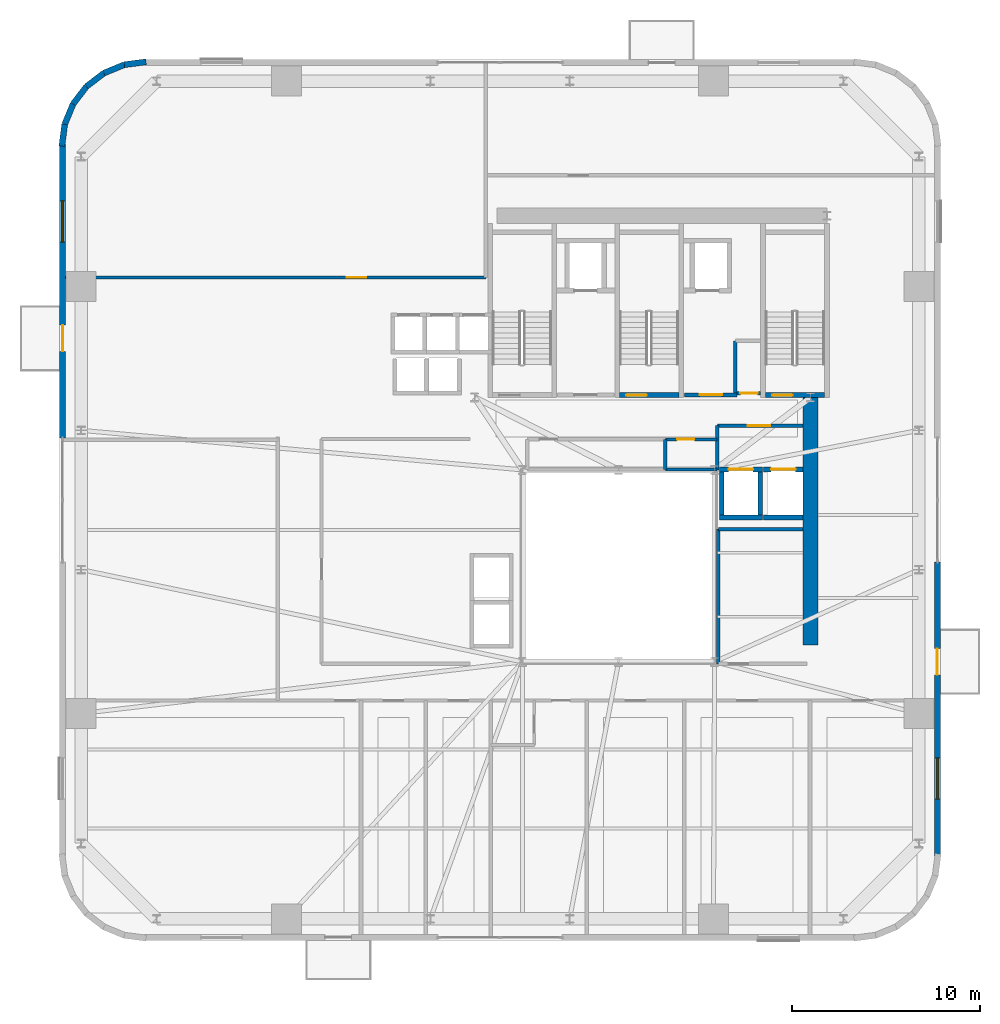
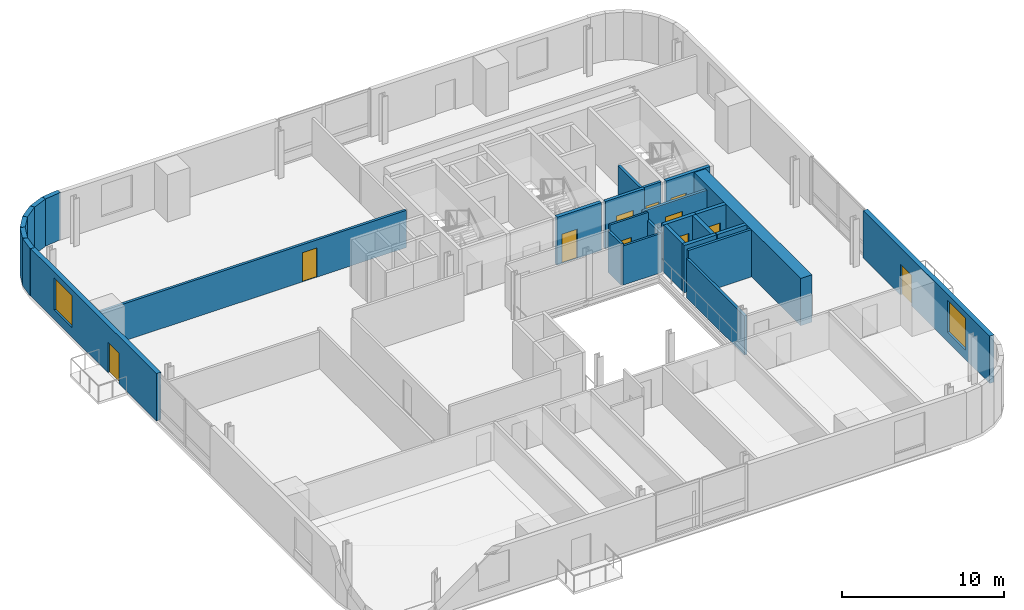
# One storey, part 7 of 14: 28 walls, 11 doors, 2 windows, 13 openings.
"""IFC4 building model written with IfcOpenShell, lengths in metres."""

from ifc_helpers import new_model, si_unit, direction, frame, frame_2d, origin, place, context, subcontext, project, spatial, rectangle, extrude, source, transform, mapped, material, layer, layer_set, type_object, element, fill, save


model = new_model("IFC4")

# Units and contexts
model_context = context("Model", 3, precision=1e-05, world=origin(), true_north=direction((0.0, 1.0)))
body_context = subcontext(model_context, "Body", "Model", "MODEL_VIEW")
ifc_project = project(units=[si_unit("LENGTHUNIT", "METRE"), si_unit("AREAUNIT", "SQUARE_METRE"), si_unit("VOLUMEUNIT", "CUBIC_METRE"), si_unit("PLANEANGLEUNIT", "RADIAN"), si_unit("MASSUNIT", "GRAM", prefix="KILO")], contexts=[model_context])

# Site, building, storey
site_placement = place(None, origin())
site = spatial("IfcSite", under=ifc_project, at=site_placement, CompositionType="ELEMENT")
building_placement = place(site_placement, origin())
building = spatial("IfcBuilding", under=site, at=building_placement, Name="Vardaveli Station Tower", CompositionType="ELEMENT")
storey_placement = place(building_placement, frame((0.0, 0.0, 107.5)))
storey = spatial("IfcBuildingStorey", under=building, at=storey_placement, Name="L27", CompositionType="ELEMENT", Elevation=107.5)

# Wall
ifc_material_1 = material(Name="Concrete C50/60", Category="concrete")
ifc_layer_1 = layer(ifc_material_1, 0.800048828125, Name="Concrete C50/60")
ifc_layer_set_1 = layer_set([ifc_layer_1], Name="Concrete C50/60")
wall_type_1 = type_object("IfcWallType", Name="WAL-CORE-800", PredefinedType="SHEAR", material=ifc_layer_set_1)
shared_shape_1 = source(origin(), body_context, "Body", "SweptSolid", [
    extrude(rectangle(XDim=13.14990234375, YDim=0.800048828125, at=frame_2d((6.574951171875, 0.0))), origin(), (0.0, 0.0, 1.0), 3.56005859375),
])
wall_1_placement = place(storey_placement, frame((46.5, 17.5, 0.0), z_axis=(0.0, 0.0, 1.0), x_axis=(0.0, 1.0, 0.0)))
element("IfcWall", 1, at=wall_1_placement, inside=storey, type_object=wall_type_1, Name="SW-L27-EAST2", PredefinedType="SHEAR", context=body_context, shape_type="MappedRepresentation", body=[
    mapped(shared_shape_1, transform((0.0, 0.0, 0.0), scale=1.0)),
])

# Wall, openings, door, window
ifc_material_2 = material(Name="Precast concrete C45/55", Category="concrete")
ifc_layer_2 = layer(ifc_material_2, 0.320068359375, Name="Precast concrete C45/55")
ifc_layer_set_2 = layer_set([ifc_layer_2], Name="Precast concrete C45/55")
wall_type_2 = type_object("IfcWallType", Name="WAL-EXT-STONE-320", PredefinedType="SOLIDWALL", material=ifc_layer_set_2)
shared_shape_2 = source(origin(), body_context, "Body", "SweptSolid", [
    extrude(rectangle(XDim=15.599853515625, YDim=0.320068359375, at=frame_2d((7.7998046875, 0.0))), origin(), (0.0, 0.0, 1.0), 3.56005859375),
])
wall_2_placement = place(storey_placement, frame((53.239990234375, 6.300048828125, 0.0), z_axis=(0.0, 0.0, 1.0), x_axis=(0.0, 1.0, 0.0)))
wall_2 = element("IfcWall", 2, at=wall_2_placement, inside=storey, type_object=wall_type_2, Name="EW-L27-E1", PredefinedType="SOLIDWALL", context=body_context, shape_type="MappedRepresentation", body=[
    mapped(shared_shape_2, transform((0.0, 0.0, 0.0), scale=1.0)),
])
shared_shape_3 = source(origin(), body_context, "Body", "SweptSolid", [
    extrude(rectangle(XDim=1.39990234375, YDim=2.300048828125, at=frame_2d((0.699951171875, 1.14990234375))), frame((0.0, 0.169921875, 0.0), z_axis=(0.0, -1.0, 0.0), x_axis=(1.0, 0.0, 0.0)), (0.0, 0.0, 1.0), 0.340087890625),
])
opening_1_placement = place(wall_2_placement, frame((9.6103515625, 0.0, 0.0)))
opening_1 = element("IfcOpeningElement", 3, at=opening_1_placement, cuts=wall_2, Name="Opening D-09", PredefinedType="OPENING", context=body_context, shape_type="MappedRepresentation", body=[
    mapped(shared_shape_3, transform((0.0, 0.0, 0.0), scale=1.0)),
])
shared_shape_4 = source(origin(), body_context, "Body", "SweptSolid", [
    extrude(rectangle(XDim=2.199951171875, YDim=2.39990234375, at=frame_2d((1.10009765625, 1.199951171875))), frame((0.0, 0.169921875, 0.0), z_axis=(0.0, -1.0, 0.0), x_axis=(1.0, 0.0, 0.0)), (0.0, 0.0, 1.0), 0.340087890625),
])
opening_2_placement = place(wall_2_placement, frame((3.0048828125, 0.0, 0.719970703125)))
opening_2 = element("IfcOpeningElement", 4, at=opening_2_placement, cuts=wall_2, Name="Opening W-03", PredefinedType="OPENING", context=body_context, shape_type="MappedRepresentation", body=[
    mapped(shared_shape_4, transform((0.0, 0.0, 0.0), scale=1.0)),
])
ifc_material_3 = material(Name="Thermally broken aluminium glass", Category="aluminium")
door_type_1 = type_object("IfcDoorType", Name="DR-LOG-1400x2300", OperationType="DOUBLE_DOOR_SLIDING", PredefinedType="DOOR", material=ifc_material_3)
shared_shape_5 = source(origin(), body_context, "Body", "SweptSolid", [
    extrude(rectangle(XDim=1.39990234375, YDim=2.300048828125, at=frame_2d((0.699951171875, 1.14990234375))), frame((0.0, 0.02490234375, 0.0), z_axis=(0.0, -1.0, 0.0), x_axis=(1.0, 0.0, 0.0)), (0.0, 0.0, 1.0), 0.050048828125),
])
door_1_placement = place(opening_1_placement, frame((1.39990234375, 0.0, 0.0), z_axis=(0.0, 0.0, 1.0), x_axis=(-1.0, 0.0, 0.0)))
door_1 = element("IfcDoor", 5, at=door_1_placement, inside=storey, type_object=door_type_1, Name="DLG-L27-E", OperationType="DOUBLE_DOOR_SLIDING", OverallHeight=2.300048828125, OverallWidth=1.39990234375, PredefinedType="DOOR", context=body_context, shape_type="MappedRepresentation", body=[
    mapped(shared_shape_5, transform((0.0, 0.0, 0.0), scale=1.0)),
])
fill(opening_1, door_1)
ifc_material_4 = material(Name="Low-E solar-control glass", Category="glass")
window_type = type_object("IfcWindowType", Name="WIN-LOG-2200x2400", PartitioningType="SINGLE_PANEL", PredefinedType="WINDOW", material=ifc_material_4)
shared_shape_6 = source(origin(), body_context, "Body", "SweptSolid", [
    extrude(rectangle(XDim=2.199951171875, YDim=2.39990234375, at=frame_2d((1.10009765625, 1.199951171875))), frame((0.0, 0.030029296875, 0.0), z_axis=(0.0, -1.0, 0.0), x_axis=(1.0, 0.0, 0.0)), (0.0, 0.0, 1.0), 0.06005859375),
])
window_1_placement = place(opening_2_placement, origin())
window_1 = element("IfcWindow", 6, at=window_1_placement, inside=storey, type_object=window_type, Name="WN-L27-E1", OverallHeight=2.39990234375, OverallWidth=2.199951171875, PartitioningType="SINGLE_PANEL", PredefinedType="WINDOW", context=body_context, shape_type="MappedRepresentation", body=[
    mapped(shared_shape_6, transform((0.0, 0.0, 0.0), scale=1.0)),
])
fill(opening_2, window_1)

shared_shape_7 = source(origin(), body_context, "Body", "SweptSolid", [
    extrude(rectangle(XDim=15.60009765625, YDim=0.320068359375, at=frame_2d((7.800048828125, 0.0))), origin(), (0.0, 0.0, 1.0), 3.56005859375),
])
wall_3_placement = place(storey_placement, frame((6.760009765625, 44.10009765625, 0.0), z_axis=(0.0, 0.0, 1.0), x_axis=(0.0, -1.0, 0.0)))
wall_3 = element("IfcWall", 7, at=wall_3_placement, inside=storey, type_object=wall_type_2, Name="EW-L27-W1", PredefinedType="SOLIDWALL", context=body_context, shape_type="MappedRepresentation", body=[
    mapped(shared_shape_7, transform((0.0, 0.0, 0.0), scale=1.0)),
])
opening_3_placement = place(wall_3_placement, frame((9.6103515625, 0.0, 0.0)))
opening_3 = element("IfcOpeningElement", 8, at=opening_3_placement, cuts=wall_3, Name="Opening D-09", PredefinedType="OPENING", context=body_context, shape_type="MappedRepresentation", body=[
    mapped(shared_shape_3, transform((0.0, 0.0, 0.0), scale=1.0)),
])
opening_4_placement = place(wall_3_placement, frame((3.0048828125, 0.0, 0.719970703125)))
opening_4 = element("IfcOpeningElement", 9, at=opening_4_placement, cuts=wall_3, Name="Opening W-03", PredefinedType="OPENING", context=body_context, shape_type="MappedRepresentation", body=[
    mapped(shared_shape_4, transform((0.0, 0.0, 0.0), scale=1.0)),
])
door_2_placement = place(opening_3_placement, frame((1.39990234375, 0.0, 0.0), z_axis=(0.0, 0.0, 1.0), x_axis=(-1.0, 0.0, 0.0)))
door_2 = element("IfcDoor", 10, at=door_2_placement, inside=storey, type_object=door_type_1, Name="DLG-L27-W", OperationType="DOUBLE_DOOR_SLIDING", OverallHeight=2.300048828125, OverallWidth=1.39990234375, PredefinedType="DOOR", context=body_context, shape_type="MappedRepresentation", body=[
    mapped(shared_shape_5, transform((0.0, 0.0, 0.0), scale=1.0)),
])
fill(opening_3, door_2)
window_2_placement = place(opening_4_placement, origin())
window_2 = element("IfcWindow", 11, at=window_2_placement, inside=storey, type_object=window_type, Name="WN-L27-W1", OverallHeight=2.39990234375, OverallWidth=2.199951171875, PartitioningType="SINGLE_PANEL", PredefinedType="WINDOW", context=body_context, shape_type="MappedRepresentation", body=[
    mapped(shared_shape_6, transform((0.0, 0.0, 0.0), scale=1.0)),
])
fill(opening_4, window_2)

# Walls
shared_shape_8 = source(origin(), body_context, "Body", "SweptSolid", [
    extrude(rectangle(XDim=1.1689453125, YDim=0.320068359375, at=frame_2d((0.58447265625, 0.0))), origin(), (0.0, 0.0, 1.0), 3.56005859375),
])
wall_4_placement = place(storey_placement, frame((8.03125, 47.1689453125, 0.0), z_axis=(0.0, 0.0, 1.0), x_axis=(-0.608387696831, -0.793639975269, 0.0)))
element("IfcWall", 12, at=wall_4_placement, inside=storey, type_object=wall_type_2, Name="EW-L27-CR4-4", PredefinedType="SOLIDWALL", context=body_context, shape_type="MappedRepresentation", body=[
    mapped(shared_shape_8, transform((0.0, 0.0, 0.0), scale=1.0)),
])
shared_shape_9 = source(origin(), body_context, "Body", "SweptSolid", [
    extrude(rectangle(XDim=1.168701171875, YDim=0.320068359375, at=frame_2d((0.58447265625, 0.0))), origin(), (0.0, 0.0, 1.0), 3.56005859375),
])
wall_5_placement = place(storey_placement, frame((8.958740234375, 47.8798828125, 0.0), z_axis=(0.0, 0.0, 1.0), x_axis=(-0.793663520347, -0.608356981114, 0.0)))
element("IfcWall", 13, at=wall_5_placement, inside=storey, type_object=wall_type_2, Name="EW-L27-CR4-3", PredefinedType="SOLIDWALL", context=body_context, shape_type="MappedRepresentation", body=[
    mapped(shared_shape_9, transform((0.0, 0.0, 0.0), scale=1.0)),
])
shared_shape_10 = source(origin(), body_context, "Body", "SweptSolid", [
    extrude(rectangle(XDim=1.17041015625, YDim=0.320068359375, at=frame_2d((0.585205078125, 0.0))), origin(), (0.0, 0.0, 1.0), 3.56005859375),
])
for number, where, z_axis, x_axis, name in (
    (14, (11.200439453125, 48.4755859375, 0.0), (0.0, 0.0, 1.0), (-0.991735963317, -0.128295670475, 0.0), "EW-L27-CR4-1"),
    (15, (6.87451171875, 45.16015625, 0.0), (0.0, 0.0, 1.0), (-0.128295670475, -0.991735963317, 0.0), "EW-L27-CR4-6"),
):
    element("IfcWall", number, at=place(storey_placement, frame(where, z_axis=z_axis, x_axis=x_axis)), inside=storey, type_object=wall_type_2, Name=name, PredefinedType="SOLIDWALL", context=body_context, shape_type="MappedRepresentation", body=[
        mapped(shared_shape_10, transform((0.0, 0.0, 0.0), scale=1.0)),
    ])
shared_shape_11 = source(origin(), body_context, "Body", "SweptSolid", [
    extrude(rectangle(XDim=1.169189453125, YDim=0.320068359375, at=frame_2d((0.58447265625, 0.0))), origin(), (0.0, 0.0, 1.0), 3.56005859375),
])
for number, where, z_axis, x_axis, name in (
    (16, (10.039794921875, 48.325439453125, 0.0), (0.0, 0.0, 1.0), (-0.924552646638, -0.381054331552, 0.0), "EW-L27-CR4-2"),
    (17, (7.320068359375, 46.2412109375, 0.0), (0.0, 0.0, 1.0), (-0.381054331552, -0.924552646638, 0.0), "EW-L27-CR4-5"),
):
    element("IfcWall", number, at=place(storey_placement, frame(where, z_axis=z_axis, x_axis=x_axis)), inside=storey, type_object=wall_type_2, Name=name, PredefinedType="SOLIDWALL", context=body_context, shape_type="MappedRepresentation", body=[
        mapped(shared_shape_11, transform((0.0, 0.0, 0.0), scale=1.0)),
    ])

# Wall, opening, door
ifc_material_5 = material(Name="Concrete C40/50", Category="concrete")
ifc_layer_3 = layer(ifc_material_5, 0.25, Name="Concrete C40/50")
ifc_layer_set_3 = layer_set([ifc_layer_3], Name="Concrete C40/50")
wall_type_3 = type_object("IfcWallType", Name="WAL-SHAFT-250", PredefinedType="SOLIDWALL", material=ifc_layer_set_3)
shared_shape_12 = source(origin(), body_context, "Body", "SweptSolid", [
    extrude(rectangle(XDim=3.14990234375, YDim=0.25, at=frame_2d((1.574951171875, 0.0))), origin(), (0.0, 0.0, 1.0), 3.60009765625),
])
wall_6_placement = place(storey_placement, frame((36.35009765625, 30.77490234375, 0.0), z_axis=(0.0, 0.0, 1.0), x_axis=(1.0, 0.0, 0.0)))
wall_6 = element("IfcWall", 18, at=wall_6_placement, inside=storey, type_object=wall_type_3, Name="W-L27-ST-2S", PredefinedType="SOLIDWALL", context=body_context, shape_type="MappedRepresentation", body=[
    mapped(shared_shape_12, transform((0.0, 0.0, 0.0), scale=1.0)),
])
shared_shape_13 = source(origin(), body_context, "Body", "SweptSolid", [
    extrude(rectangle(XDim=1.10009765625, YDim=2.199951171875, at=frame_2d((0.550048828125, 1.10009765625))), frame((0.0, 0.135009765625, 0.0), z_axis=(0.0, -1.0, 0.0), x_axis=(1.0, 0.0, 0.0)), (0.0, 0.0, 1.0), 0.27001953125),
])
opening_5_placement = place(wall_6_placement, frame((0.35009765625, 0.0, 0.0)))
opening_5 = element("IfcOpeningElement", 19, at=opening_5_placement, cuts=wall_6, Name="Opening D-04", PredefinedType="OPENING", context=body_context, shape_type="MappedRepresentation", body=[
    mapped(shared_shape_13, transform((0.0, 0.0, 0.0), scale=1.0)),
])
ifc_material_6 = material(Name="Steel smokeproof fire doorset", Category="steel")
door_type_2 = type_object("IfcDoorType", Name="DR-ST-1100x2200", OperationType="NOTDEFINED", PredefinedType="DOOR", material=ifc_material_6)
shared_shape_14 = source(origin(), body_context, "Body", "SweptSolid", [
    extrude(rectangle(XDim=1.10009765625, YDim=2.199951171875, at=frame_2d((0.550048828125, 1.10009765625))), frame((0.0, 0.02490234375, 0.0), z_axis=(0.0, -1.0, 0.0), x_axis=(1.0, 0.0, 0.0)), (0.0, 0.0, 1.0), 0.050048828125),
])
door_3_placement = place(opening_5_placement, origin())
door_3 = element("IfcDoor", 20, at=door_3_placement, inside=storey, type_object=door_type_2, Name="DST-2-L27", OperationType="SINGLE_SWING_LEFT", OverallHeight=2.199951171875, OverallWidth=1.10009765625, PredefinedType="DOOR", context=body_context, shape_type="MappedRepresentation", body=[
    mapped(shared_shape_14, transform((0.0, 0.0, 0.0), scale=1.0)),
])
fill(opening_5, door_3)

wall_7_placement = place(storey_placement, frame((44.10009765625, 30.77490234375, 0.0), z_axis=(0.0, 0.0, 1.0), x_axis=(1.0, 0.0, 0.0)))
wall_7 = element("IfcWall", 21, at=wall_7_placement, inside=storey, type_object=wall_type_3, Name="W-L27-ST-3S", PredefinedType="SOLIDWALL", context=body_context, shape_type="MappedRepresentation", body=[
    mapped(shared_shape_12, transform((0.0, 0.0, 0.0), scale=1.0)),
])
opening_6_placement = place(wall_7_placement, frame((0.35009765625, 0.0, 0.0)))
opening_6 = element("IfcOpeningElement", 22, at=opening_6_placement, cuts=wall_7, Name="Opening D-04", PredefinedType="OPENING", context=body_context, shape_type="MappedRepresentation", body=[
    mapped(shared_shape_13, transform((0.0, 0.0, 0.0), scale=1.0)),
])
door_4_placement = place(opening_6_placement, origin())
door_4 = element("IfcDoor", 23, at=door_4_placement, inside=storey, type_object=door_type_2, Name="DST-3-L27", OperationType="SINGLE_SWING_LEFT", OverallHeight=2.199951171875, OverallWidth=1.10009765625, PredefinedType="DOOR", context=body_context, shape_type="MappedRepresentation", body=[
    mapped(shared_shape_14, transform((0.0, 0.0, 0.0), scale=1.0)),
])
fill(opening_6, door_4)

ifc_layer_4 = layer(ifc_material_5, 0.219970703125, Name="Concrete C40/50")
ifc_layer_set_4 = layer_set([ifc_layer_4], Name="Concrete C40/50")
wall_type_4 = type_object("IfcWallType", Name="WAL-FFLOBBY-220", PredefinedType="SOLIDWALL", material=ifc_layer_set_4)
shared_shape_15 = source(origin(), body_context, "Body", "SweptSolid", [
    extrude(rectangle(XDim=2.800048828125, YDim=0.219970703125, at=frame_2d((1.39990234375, 0.0))), origin(), (0.0, 0.0, 1.0), 3.56005859375),
])
wall_8_placement = place(storey_placement, frame((39.800048828125, 30.780029296875, 0.0), z_axis=(0.0, 0.0, 1.0), x_axis=(1.0, 0.0, 0.0)))
wall_8 = element("IfcWall", 24, at=wall_8_placement, inside=storey, type_object=wall_type_4, Name="W-L27-FFL2S", PredefinedType="SOLIDWALL", context=body_context, shape_type="MappedRepresentation", body=[
    mapped(shared_shape_15, transform((0.0, 0.0, 0.0), scale=1.0)),
])
shared_shape_16 = source(origin(), body_context, "Body", "SweptSolid", [
    extrude(rectangle(XDim=1.199951171875, YDim=2.199951171875, at=frame_2d((0.60009765625, 1.10009765625))), frame((0.0, 0.1201171875, 0.0), z_axis=(0.0, -1.0, 0.0), x_axis=(1.0, 0.0, 0.0)), (0.0, 0.0, 1.0), 0.239990234375),
])
opening_7_placement = place(wall_8_placement, frame((0.800048828125, 0.0, 0.0)))
opening_7 = element("IfcOpeningElement", 25, at=opening_7_placement, cuts=wall_8, Name="Opening D-03", PredefinedType="OPENING", context=body_context, shape_type="MappedRepresentation", body=[
    mapped(shared_shape_16, transform((0.0, 0.0, 0.0), scale=1.0)),
])
door_type_3 = type_object("IfcDoorType", Name="DR-FFL-1200x2200", OperationType="NOTDEFINED", PredefinedType="DOOR", material=ifc_material_6)
shared_shape_17 = source(origin(), body_context, "Body", "SweptSolid", [
    extrude(rectangle(XDim=1.199951171875, YDim=2.199951171875, at=frame_2d((0.60009765625, 1.10009765625))), frame((0.0, 0.02490234375, 0.0), z_axis=(0.0, -1.0, 0.0), x_axis=(1.0, 0.0, 0.0)), (0.0, 0.0, 1.0), 0.050048828125),
])
door_5_placement = place(opening_7_placement, origin())
door_5 = element("IfcDoor", 26, at=door_5_placement, inside=storey, type_object=door_type_3, Name="DFFL2-L27", OperationType="SINGLE_SWING_RIGHT", OverallHeight=2.199951171875, OverallWidth=1.199951171875, PredefinedType="DOOR", context=body_context, shape_type="MappedRepresentation", body=[
    mapped(shared_shape_17, transform((0.0, 0.0, 0.0), scale=1.0)),
])
fill(opening_7, door_5)

# Wall
shared_shape_18 = source(origin(), body_context, "Body", "SweptSolid", [
    extrude(rectangle(XDim=2.300048828125, YDim=0.25, at=frame_2d((1.14990234375, 0.0))), origin(), (0.0, 0.0, 1.0), 3.56005859375),
])
wall_9_placement = place(storey_placement, frame((41.64990234375, 24.27490234375, 0.0), z_axis=(0.0, 0.0, 1.0), x_axis=(1.0, 0.0, 0.0)))
element("IfcWall", 27, at=wall_9_placement, inside=storey, type_object=wall_type_3, Name="SHW-SRV-01-L27-S", PredefinedType="SOLIDWALL", context=body_context, shape_type="MappedRepresentation", body=[
    mapped(shared_shape_18, transform((0.0, 0.0, 0.0), scale=1.0)),
])

# Wall, opening, door
wall_10_placement = place(storey_placement, frame((41.64990234375, 26.824951171875, 0.0), z_axis=(0.0, 0.0, 1.0), x_axis=(1.0, 0.0, 0.0)))
wall_10 = element("IfcWall", 28, at=wall_10_placement, inside=storey, type_object=wall_type_3, Name="SHW-SRV-01-L27-N", PredefinedType="SOLIDWALL", context=body_context, shape_type="MappedRepresentation", body=[
    mapped(shared_shape_18, transform((0.0, 0.0, 0.0), scale=1.0)),
])
shared_shape_19 = source(origin(), body_context, "Body", "SweptSolid", [
    extrude(rectangle(XDim=1.300048828125, YDim=2.300048828125, at=frame_2d((0.64990234375, 1.14990234375))), frame((0.0, 0.135009765625, 0.0), z_axis=(0.0, -1.0, 0.0), x_axis=(1.0, 0.0, 0.0)), (0.0, 0.0, 1.0), 0.27001953125),
])
opening_8_placement = place(wall_10_placement, frame((0.5, 0.0, 0.0)))
opening_8 = element("IfcOpeningElement", 29, at=opening_8_placement, cuts=wall_10, Name="Opening LD-03", PredefinedType="OPENING", context=body_context, shape_type="MappedRepresentation", body=[
    mapped(shared_shape_19, transform((0.0, 0.0, 0.0), scale=1.0)),
])
ifc_material_7 = material(Name="Brushed stainless steel", Category="steel")
door_type_4 = type_object("IfcDoorType", Name="DR-LD-1300x2300", OperationType="DOUBLE_DOOR_SLIDING", PredefinedType="DOOR", material=ifc_material_7)
shared_shape_20 = source(origin(), body_context, "Body", "SweptSolid", [
    extrude(rectangle(XDim=1.300048828125, YDim=2.300048828125, at=frame_2d((0.64990234375, 1.14990234375))), frame((0.0, 0.02490234375, 0.0), z_axis=(0.0, -1.0, 0.0), x_axis=(1.0, 0.0, 0.0)), (0.0, 0.0, 1.0), 0.050048828125),
])
door_6_placement = place(opening_8_placement, origin())
door_6 = element("IfcDoor", 30, at=door_6_placement, inside=storey, type_object=door_type_4, Name="LD-SRV-01-L27", OperationType="DOUBLE_DOOR_SLIDING", OverallHeight=2.300048828125, OverallWidth=1.300048828125, PredefinedType="DOOR", context=body_context, shape_type="MappedRepresentation", body=[
    mapped(shared_shape_20, transform((0.0, 0.0, 0.0), scale=1.0)),
])
fill(opening_8, door_6)

# Walls
for number, where, z_axis, x_axis, name in (
    (31, (41.77490234375, 24.39990234375, 0.0), (0.0, 0.0, 1.0), (0.0, 1.0, 0.0), "SHW-SRV-01-L27-W"),
    (32, (43.824951171875, 24.39990234375, 0.0), (0.0, 0.0, 1.0), (0.0, 1.0, 0.0), "SHW-SRV-01-L27-E"),
):
    element("IfcWall", number, at=place(storey_placement, frame(where, z_axis=z_axis, x_axis=x_axis)), inside=storey, type_object=wall_type_3, Name=name, PredefinedType="SOLIDWALL", context=body_context, shape_type="MappedRepresentation", body=[
        mapped(shared_shape_18, transform((0.0, 0.0, 0.0), scale=1.0)),
    ])
shared_shape_21 = source(origin(), body_context, "Body", "SweptSolid", [
    extrude(rectangle(XDim=2.10009765625, YDim=0.25, at=frame_2d((1.050048828125, 0.0))), origin(), (0.0, 0.0, 1.0), 3.56005859375),
])
wall_11_placement = place(storey_placement, frame((44.0, 24.27490234375, 0.0), z_axis=(0.0, 0.0, 1.0), x_axis=(1.0, 0.0, 0.0)))
element("IfcWall", 33, at=wall_11_placement, inside=storey, type_object=wall_type_3, Name="SHW-SRV-02-L27-S", PredefinedType="SOLIDWALL", context=body_context, shape_type="MappedRepresentation", body=[
    mapped(shared_shape_21, transform((0.0, 0.0, 0.0), scale=1.0)),
])

# Wall, opening, door
wall_12_placement = place(storey_placement, frame((44.0, 26.824951171875, 0.0), z_axis=(0.0, 0.0, 1.0), x_axis=(1.0, 0.0, 0.0)))
wall_12 = element("IfcWall", 34, at=wall_12_placement, inside=storey, type_object=wall_type_3, Name="SHW-SRV-02-L27-N", PredefinedType="SOLIDWALL", context=body_context, shape_type="MappedRepresentation", body=[
    mapped(shared_shape_21, transform((0.0, 0.0, 0.0), scale=1.0)),
])
opening_9_placement = place(wall_12_placement, frame((0.39990234375, 0.0, 0.0)))
opening_9 = element("IfcOpeningElement", 35, at=opening_9_placement, cuts=wall_12, Name="Opening LD-03", PredefinedType="OPENING", context=body_context, shape_type="MappedRepresentation", body=[
    mapped(shared_shape_19, transform((0.0, 0.0, 0.0), scale=1.0)),
])
door_7_placement = place(opening_9_placement, origin())
door_7 = element("IfcDoor", 36, at=door_7_placement, inside=storey, type_object=door_type_4, Name="LD-SRV-02-L27", OperationType="DOUBLE_DOOR_SLIDING", OverallHeight=2.300048828125, OverallWidth=1.300048828125, PredefinedType="DOOR", context=body_context, shape_type="MappedRepresentation", body=[
    mapped(shared_shape_20, transform((0.0, 0.0, 0.0), scale=1.0)),
])
fill(opening_9, door_7)

ifc_material_8 = material(Name="Fire-rated gypsum stud partition")
ifc_layer_5 = layer(ifc_material_8, 0.179931640625, Name="Fire-rated gypsum stud partition")
ifc_layer_set_5 = layer_set([ifc_layer_5], Name="Fire-rated gypsum stud partition")
wall_type_5 = type_object("IfcWallType", Name="WAL-CORR-180", PredefinedType="PARTITIONING", material=ifc_layer_set_5)
shared_shape_22 = source(origin(), body_context, "Body", "SweptSolid", [
    extrude(rectangle(XDim=22.327880859375, YDim=0.179931640625, at=frame_2d((11.1640625, 0.0))), origin(), (0.0, 0.0, 1.0), 2.802001953125),
])
wall_13_placement = place(storey_placement, frame((6.922119140625, 37.02001953125, 0.0), z_axis=(0.0, 0.0, 1.0), x_axis=(1.0, 0.0, 0.0)))
wall_13 = element("IfcWall", 37, at=wall_13_placement, inside=storey, type_object=wall_type_5, Name="W-L27-CNWS", PredefinedType="PARTITIONING", context=body_context, shape_type="MappedRepresentation", body=[
    mapped(shared_shape_22, transform((0.0, 0.0, 0.0), scale=1.0)),
])
shared_shape_23 = source(origin(), body_context, "Body", "SweptSolid", [
    extrude(rectangle(XDim=1.050048828125, YDim=2.199951171875, at=frame_2d((0.52490234375, 1.10009765625))), frame((0.0, 0.10009765625, 0.0), z_axis=(0.0, -1.0, 0.0), x_axis=(1.0, 0.0, 0.0)), (0.0, 0.0, 1.0), 0.199951171875),
])
opening_10_placement = place(wall_13_placement, frame((14.927978515625, 0.0, 0.0)))
opening_10 = element("IfcOpeningElement", 38, at=opening_10_placement, cuts=wall_13, Name="Opening D-05", PredefinedType="OPENING", context=body_context, shape_type="MappedRepresentation", body=[
    mapped(shared_shape_23, transform((0.0, 0.0, 0.0), scale=1.0)),
])
ifc_material_9 = material(Name="Walnut veneer acoustic fire door")
door_type_5 = type_object("IfcDoorType", Name="DR-SUITE-1050x2200", OperationType="NOTDEFINED", PredefinedType="DOOR", material=ifc_material_9)
shared_shape_24 = source(origin(), body_context, "Body", "SweptSolid", [
    extrude(rectangle(XDim=1.050048828125, YDim=2.199951171875, at=frame_2d((0.52490234375, 1.10009765625))), frame((0.0, 0.02490234375, 0.0), z_axis=(0.0, -1.0, 0.0), x_axis=(1.0, 0.0, 0.0)), (0.0, 0.0, 1.0), 0.050048828125),
])
door_8_placement = place(opening_10_placement, origin())
door_8 = element("IfcDoor", 39, at=door_8_placement, inside=storey, type_object=door_type_5, Name="D-L27-GNW1", OperationType="SINGLE_SWING_RIGHT", OverallHeight=2.199951171875, OverallWidth=1.050048828125, PredefinedType="DOOR", context=body_context, shape_type="MappedRepresentation", body=[
    mapped(shared_shape_24, transform((0.0, 0.0, 0.0), scale=1.0)),
])
fill(opening_10, door_8)

shared_shape_25 = source(origin(), body_context, "Body", "SweptSolid", [
    extrude(rectangle(XDim=1.247802734375, YDim=0.179931640625, at=frame_2d((0.6240234375, 0.0))), origin(), (0.0, 0.0, 1.0), 3.56005859375),
])
wall_14_placement = place(storey_placement, frame((42.60009765625, 30.8798828125, 0.0), z_axis=(0.0, 0.0, 1.0), x_axis=(1.0, 0.0, 0.0)))
wall_14 = element("IfcWall", 40, at=wall_14_placement, inside=storey, type_object=wall_type_5, Name="W-L27-CBS0-S", PredefinedType="PARTITIONING", context=body_context, shape_type="MappedRepresentation", body=[
    mapped(shared_shape_25, transform((0.0, 0.0, 0.0), scale=1.0)),
])
shared_shape_26 = source(origin(), body_context, "Body", "SweptSolid", [
    extrude(rectangle(XDim=0.919921875, YDim=2.10009765625, at=frame_2d((0.4599609375, 1.050048828125))), frame((0.0, 0.10009765625, 0.0), z_axis=(0.0, -1.0, 0.0), x_axis=(1.0, 0.0, 0.0)), (0.0, 0.0, 1.0), 0.199951171875),
])
opening_11_placement = place(wall_14_placement, frame((0.1640625, 0.0, 0.0)))
opening_11 = element("IfcOpeningElement", 41, at=opening_11_placement, cuts=wall_14, Name="Opening D-07", PredefinedType="OPENING", context=body_context, shape_type="MappedRepresentation", body=[
    mapped(shared_shape_26, transform((0.0, 0.0, 0.0), scale=1.0)),
])
ifc_material_10 = material(Name="Moisture-resistant hardwood door", Category="wood")
door_type_6 = type_object("IfcDoorType", Name="DR-WC-920x2100", OperationType="NOTDEFINED", PredefinedType="DOOR", material=ifc_material_10)
shared_shape_27 = source(origin(), body_context, "Body", "SweptSolid", [
    extrude(rectangle(XDim=0.919921875, YDim=2.10009765625, at=frame_2d((0.4599609375, 1.050048828125))), frame((0.0, 0.02490234375, 0.0), z_axis=(0.0, -1.0, 0.0), x_axis=(1.0, 0.0, 0.0)), (0.0, 0.0, 1.0), 0.050048828125),
])
door_9_placement = place(opening_11_placement, origin())
door_9 = element("IfcDoor", 42, at=door_9_placement, inside=storey, type_object=door_type_6, Name="D-L27-CBS0", OperationType="SINGLE_SWING_LEFT", OverallHeight=2.10009765625, OverallWidth=0.919921875, PredefinedType="DOOR", context=body_context, shape_type="MappedRepresentation", body=[
    mapped(shared_shape_27, transform((0.0, 0.0, 0.0), scale=1.0)),
])
fill(opening_11, door_9)

# Walls
shared_shape_28 = source(origin(), body_context, "Body", "SweptSolid", [
    extrude(rectangle(XDim=4.497802734375, YDim=0.179931640625, at=frame_2d((2.2490234375, 0.0))), origin(), (0.0, 0.0, 1.0), 3.56005859375),
])
wall_15_placement = place(storey_placement, frame((41.60009765625, 23.64990234375, 0.0), z_axis=(0.0, 0.0, 1.0), x_axis=(1.0, 0.0, 0.0)))
element("IfcWall", 43, at=wall_15_placement, inside=storey, type_object=wall_type_5, Name="W-L27-ATE-N", PredefinedType="PARTITIONING", context=body_context, shape_type="MappedRepresentation", body=[
    mapped(shared_shape_28, transform((0.0, 0.0, 0.0), scale=1.0)),
])
shared_shape_29 = source(origin(), body_context, "Body", "SweptSolid", [
    extrude(rectangle(XDim=1.599853515625, YDim=0.179931640625, at=frame_2d((0.7998046875, 0.0))), origin(), (0.0, 0.0, 1.0), 3.10205078125),
])
wall_16_placement = place(storey_placement, frame((38.780029296875, 26.820068359375, 0.0), z_axis=(0.0, 0.0, 1.0), x_axis=(0.0, 1.0, 0.0)))
element("IfcWall", 44, at=wall_16_placement, inside=storey, type_object=wall_type_5, Name="W-L27-HKP0-E", PredefinedType="PARTITIONING", context=body_context, shape_type="MappedRepresentation", body=[
    mapped(shared_shape_29, transform((0.0, 0.0, 0.0), scale=1.0)),
])

# Wall, opening, door
shared_shape_30 = source(origin(), body_context, "Body", "SweptSolid", [
    extrude(rectangle(XDim=4.5478515625, YDim=0.179931640625, at=frame_2d((2.27392578125, 0.0))), origin(), (0.0, 0.0, 1.0), 3.19189453125),
])
wall_17_placement = place(storey_placement, frame((41.550048828125, 29.14990234375, 0.0), z_axis=(0.0, 0.0, 1.0), x_axis=(1.0, 0.0, 0.0)))
wall_17 = element("IfcWall", 45, at=wall_17_placement, inside=storey, type_object=wall_type_5, Name="W-L27-SVFN", PredefinedType="PARTITIONING", context=body_context, shape_type="MappedRepresentation", body=[
    mapped(shared_shape_30, transform((0.0, 0.0, 0.0), scale=1.0)),
])
shared_shape_31 = source(origin(), body_context, "Body", "SweptSolid", [
    extrude(rectangle(XDim=1.199951171875, YDim=2.199951171875, at=frame_2d((0.60009765625, 1.10009765625))), frame((0.0, 0.10009765625, 0.0), z_axis=(0.0, -1.0, 0.0), x_axis=(1.0, 0.0, 0.0)), (0.0, 0.0, 1.0), 0.199951171875),
])
opening_12_placement = place(wall_17_placement, frame((1.60009765625, 0.0, 0.0)))
opening_12 = element("IfcOpeningElement", 46, at=opening_12_placement, cuts=wall_17, Name="Opening D-03", PredefinedType="OPENING", context=body_context, shape_type="MappedRepresentation", body=[
    mapped(shared_shape_31, transform((0.0, 0.0, 0.0), scale=1.0)),
])
door_10_placement = place(opening_12_placement, origin())
door_10 = element("IfcDoor", 47, at=door_10_placement, inside=storey, type_object=door_type_3, Name="D-L27-SVF", OperationType="SINGLE_SWING_LEFT", OverallHeight=2.199951171875, OverallWidth=1.199951171875, PredefinedType="DOOR", context=body_context, shape_type="MappedRepresentation", body=[
    mapped(shared_shape_17, transform((0.0, 0.0, 0.0), scale=1.0)),
])
fill(opening_12, door_10)

ifc_material_11 = material(Name="Moisture-resistant stud partition")
ifc_layer_6 = layer(ifc_material_11, 0.14990234375, Name="Moisture-resistant stud partition")
ifc_layer_set_6 = layer_set([ifc_layer_6], Name="Moisture-resistant stud partition")
wall_type_6 = type_object("IfcWallType", Name="WAL-WET-150", PredefinedType="PARTITIONING", material=ifc_layer_set_6)
shared_shape_32 = source(origin(), body_context, "Body", "SweptSolid", [
    extrude(rectangle(XDim=2.739990234375, YDim=0.14990234375, at=frame_2d((1.3701171875, 0.0))), origin(), (0.0, 0.0, 1.0), 3.56005859375),
])
wall_18_placement = place(storey_placement, frame((38.780029296875, 28.419921875, 0.0), z_axis=(0.0, 0.0, 1.0), x_axis=(1.0, 0.0, 0.0)))
wall_18 = element("IfcWall", 48, at=wall_18_placement, inside=storey, type_object=wall_type_6, Name="W-L27-WCA0-N", PredefinedType="PARTITIONING", context=body_context, shape_type="MappedRepresentation", body=[
    mapped(shared_shape_32, transform((0.0, 0.0, 0.0), scale=1.0)),
])
shared_shape_33 = source(origin(), body_context, "Body", "SweptSolid", [
    extrude(rectangle(XDim=0.919921875, YDim=2.10009765625, at=frame_2d((0.4599609375, 1.050048828125))), frame((0.0, 0.0849609375, 0.0), z_axis=(0.0, -1.0, 0.0), x_axis=(1.0, 0.0, 0.0)), (0.0, 0.0, 1.0), 0.169921875),
])
opening_13_placement = place(wall_18_placement, frame((0.6298828125, 0.0, 0.0)))
opening_13 = element("IfcOpeningElement", 49, at=opening_13_placement, cuts=wall_18, Name="Opening D-07", PredefinedType="OPENING", context=body_context, shape_type="MappedRepresentation", body=[
    mapped(shared_shape_33, transform((0.0, 0.0, 0.0), scale=1.0)),
])
door_11_placement = place(opening_13_placement, origin())
door_11 = element("IfcDoor", 50, at=door_11_placement, inside=storey, type_object=door_type_6, Name="D-L27-WCA", OperationType="SINGLE_SWING_LEFT", OverallHeight=2.10009765625, OverallWidth=0.919921875, PredefinedType="DOOR", context=body_context, shape_type="MappedRepresentation", body=[
    mapped(shared_shape_27, transform((0.0, 0.0, 0.0), scale=1.0)),
])
fill(opening_13, door_11)

# Walls
shared_shape_34 = source(origin(), body_context, "Body", "SweptSolid", [
    extrude(rectangle(XDim=7.14990234375, YDim=0.179931640625, at=frame_2d((3.574951171875, 0.0))), origin(), (0.0, 0.0, 1.0), 2.951904296875),
])
wall_19_placement = place(storey_placement, frame((41.60009765625, 16.5, 0.0), z_axis=(0.0, 0.0, 1.0), x_axis=(0.0, 1.0, 0.0)))
element("IfcWall", 51, at=wall_19_placement, inside=storey, type_object=wall_type_5, Name="W-L27-ATE-W", PredefinedType="PARTITIONING", context=body_context, shape_type="MappedRepresentation", body=[
    mapped(shared_shape_34, transform((0.0, 0.0, 0.0), scale=1.0)),
])
shared_shape_35 = source(origin(), body_context, "Body", "SweptSolid", [
    extrude(rectangle(XDim=2.7578125, YDim=0.179931640625, at=frame_2d((1.37890625, 0.0))), origin(), (0.0, 0.0, 1.0), 3.56005859375),
])
wall_20_placement = place(storey_placement, frame((42.5, 30.89208984375, 0.0), z_axis=(0.0, 0.0, 1.0), x_axis=(0.0, 1.0, 0.0)))
element("IfcWall", 52, at=wall_20_placement, inside=storey, type_object=wall_type_5, Name="W-L27-CBS0-W", PredefinedType="PARTITIONING", context=body_context, shape_type="MappedRepresentation", body=[
    mapped(shared_shape_35, transform((0.0, 0.0, 0.0), scale=1.0)),
])
shared_shape_36 = source(origin(), body_context, "Body", "SweptSolid", [
    extrude(rectangle(XDim=2.739990234375, YDim=0.14990234375, at=frame_2d((1.3701171875, 0.0))), origin(), (0.0, 0.0, 1.0), 2.951904296875),
])
wall_21_placement = place(storey_placement, frame((38.780029296875, 26.820068359375, 0.0), z_axis=(0.0, 0.0, 1.0), x_axis=(1.0, 0.0, 0.0)))
element("IfcWall", 53, at=wall_21_placement, inside=storey, type_object=wall_type_6, Name="W-L27-WCA0-S", PredefinedType="PARTITIONING", context=body_context, shape_type="MappedRepresentation", body=[
    mapped(shared_shape_36, transform((0.0, 0.0, 0.0), scale=1.0)),
])
shared_shape_37 = source(origin(), body_context, "Body", "SweptSolid", [
    extrude(rectangle(XDim=2.349853515625, YDim=0.179931640625, at=frame_2d((1.1748046875, 0.0))), origin(), (0.0, 0.0, 1.0), 2.951904296875),
])
wall_22_placement = place(storey_placement, frame((41.550048828125, 26.800048828125, 0.0), z_axis=(0.0, 0.0, 1.0), x_axis=(0.0, 1.0, 0.0)))
element("IfcWall", 54, at=wall_22_placement, inside=storey, type_object=wall_type_5, Name="W-L27-SVFW", PredefinedType="PARTITIONING", context=body_context, shape_type="MappedRepresentation", body=[
    mapped(shared_shape_37, transform((0.0, 0.0, 0.0), scale=1.0)),
])

save(model, "model.ifc")
